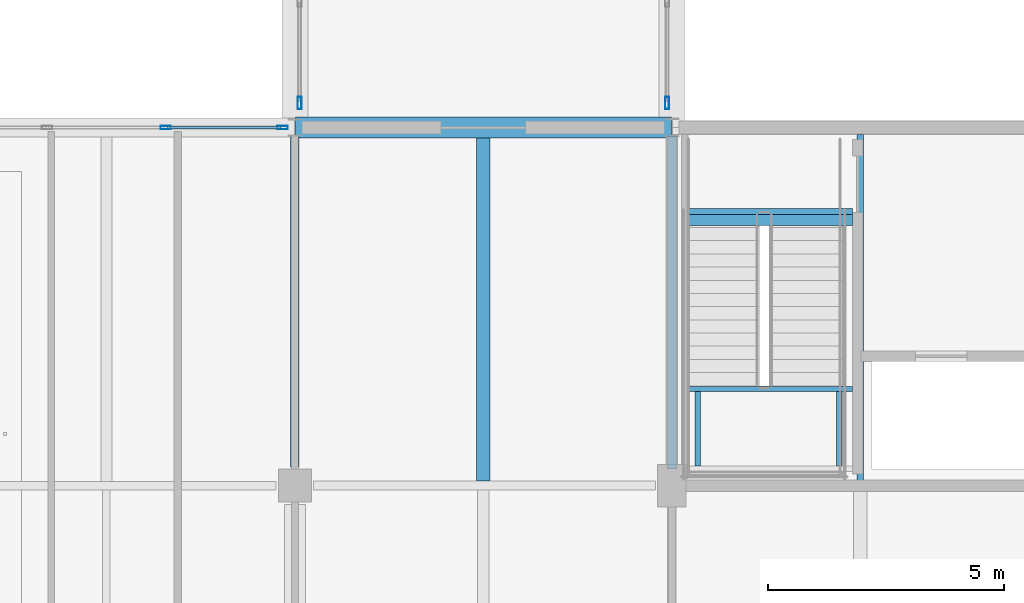
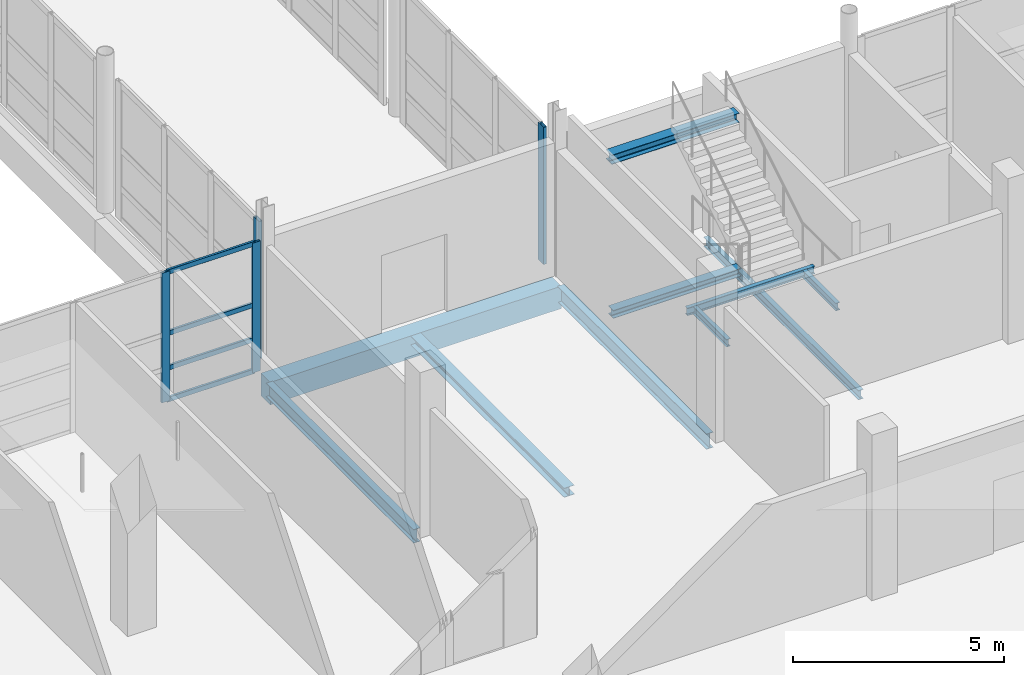
# One storey, part 56 of 141: 10 beams, 8 members, 3 elements without a shape of their own.
"""IFC4 building model written with IfcOpenShell, lengths in metres."""

from ifc_helpers import new_model, si_unit, direction, frame, origin, origin_2d, place, context, subcontext, project, spatial, rectangle, hollow_rectangle, i_section, extrude, material, material_profile, profile_set, type_object, element, aggregate, save


model = new_model("IFC4")

# Units and contexts
model_context = context("Model", 3, precision=1e-05, world=origin(), true_north=direction((0.0, 1.0)))
body_context = subcontext(model_context, "Body", "Model", "MODEL_VIEW")
ifc_project = project(units=[si_unit("LENGTHUNIT", "METRE"), si_unit("AREAUNIT", "SQUARE_METRE"), si_unit("VOLUMEUNIT", "CUBIC_METRE"), si_unit("PLANEANGLEUNIT", "RADIAN"), si_unit("MASSUNIT", "GRAM", prefix="KILO")], contexts=[model_context])

# Site, building, storey
site_placement = place(None, origin())
site = spatial("IfcSite", under=ifc_project, at=site_placement, CompositionType="ELEMENT")
building_placement = place(site_placement, origin())
building = spatial("IfcBuilding", under=site, at=building_placement, Name="Khelvaren Railside Concert Hall", CompositionType="ELEMENT")
storey_placement = place(building_placement, frame((0.0, 0.0, 10.199951171875)))
storey = spatial("IfcBuildingStorey", under=building, at=storey_placement, Name="L02", CompositionType="ELEMENT", Elevation=10.199951171875)

# Beams
ifc_material_1 = material(Name="Steel S355", Category="steel")
ifc_material_profile_1 = material_profile(ifc_material_1, i_section(OverallWidth=0.179931640625, OverallDepth=0.39990234375, WebThickness=0.008544921875, FlangeThickness=0.013427734375, FilletRadius=0.02099609375, at=origin_2d()), Name="IPE 400")
ifc_profile_set_1 = profile_set([ifc_material_profile_1], Name="Steel S355")
beam_type_1 = type_object("IfcBeamType", Name="BM29", PredefinedType="BEAM", material=ifc_profile_set_1)
beam_1_placement = place(storey_placement, frame((160.0, 30.800048828125, -0.489990234375), z_axis=(0.0, 1.0, 0.0), x_axis=(-1.0, 0.0, 0.0)))
element("IfcBeam", 1, at=beam_1_placement, inside=storey, type_object=beam_type_1, Name="V2 L02 Beam Y3.5", PredefinedType="BEAM", context=body_context, shape_type="SweptSolid", body=[
    extrude(i_section(OverallWidth=0.179931640625, OverallDepth=0.39990234375, WebThickness=0.008544921875, FlangeThickness=0.013427734375, FilletRadius=0.02099609375, at=origin_2d()), origin(), (0.0, 0.0, 1.0), 7.0),
])
ifc_material_profile_2 = material_profile(ifc_material_1, i_section(OverallWidth=0.239990234375, OverallDepth=0.22998046875, WebThickness=0.007568359375, FlangeThickness=0.011962890625, FilletRadius=0.02099609375, at=origin_2d()), Name="HEA 240")
ifc_profile_set_2 = profile_set([ifc_material_profile_2], Name="Steel S355")
beam_type_2 = type_object("IfcBeamType", Name="BM42", PredefinedType="BEAM", material=ifc_profile_set_2)
beam_2_placement = place(storey_placement, frame((168.344970703125, 36.039306640625, -0.114990234375), z_axis=(1.0, 0.0, 0.0), x_axis=(0.0, 1.0, 0.0)))
element("IfcBeam", 2, at=beam_2_placement, inside=storey, type_object=beam_type_2, Name="ST-04 L02 Stair Foot Trimmer Beam", PredefinedType="BEAM", context=body_context, shape_type="SweptSolid", body=[
    extrude(i_section(OverallWidth=0.239990234375, OverallDepth=0.22998046875, WebThickness=0.007568359375, FlangeThickness=0.011962890625, FilletRadius=0.02099609375, at=origin_2d()), origin(), (0.0, 0.0, 1.0), 3.4951171875),
])
ifc_material_profile_3 = material_profile(ifc_material_1, i_section(OverallWidth=0.110107421875, OverallDepth=0.219970703125, WebThickness=0.005859375, FlangeThickness=0.00927734375, FilletRadius=0.011962890625, at=origin_2d()), Name="IPE 220")
ifc_profile_set_3 = profile_set([ifc_material_profile_3], Name="Steel S355")
beam_type_3 = type_object("IfcBeamType", Name="BM87", PredefinedType="BEAM", material=ifc_profile_set_3)
beam_3_placement = place(storey_placement, frame((168.344970703125, 32.455078125, 2.090087890625), z_axis=(1.0, 0.0, 0.0), x_axis=(0.0, 1.0, 0.0)))
element("IfcBeam", 3, at=beam_3_placement, inside=storey, type_object=beam_type_3, Name="ST-04 L02 Half-Landing Front Beam", PredefinedType="BEAM", context=body_context, shape_type="SweptSolid", body=[
    extrude(i_section(OverallWidth=0.110107421875, OverallDepth=0.219970703125, WebThickness=0.005859375, FlangeThickness=0.00927734375, FilletRadius=0.011962890625, at=origin_2d()), origin(), (0.0, 0.0, 1.0), 3.4951171875),
])
for number, where, z_axis, x_axis, name in (
    (4, (168.550048828125, 30.81494140625, 2.090087890625), (0.0, 1.0, 0.0), (-1.0, 0.0, 0.0), "ST-04 L02 Half-Landing Side Tie W"),
    (5, (171.550048828125, 30.81494140625, 2.090087890625), (0.0, 1.0, 0.0), (-1.0, 0.0, 0.0), "ST-04 L02 Half-Landing Side Tie E"),
):
    element("IfcBeam", number, at=place(storey_placement, frame(where, z_axis=z_axis, x_axis=x_axis)), inside=storey, type_object=beam_type_3, Name=name, PredefinedType="BEAM", context=body_context, shape_type="SweptSolid", body=[
        extrude(i_section(OverallWidth=0.110107421875, OverallDepth=0.219970703125, WebThickness=0.005859375, FlangeThickness=0.00927734375, FilletRadius=0.011962890625, at=origin_2d()), origin(), (0.0, 0.0, 1.0), 1.5849609375),
    ])
ifc_material_profile_4 = material_profile(ifc_material_1, i_section(OverallWidth=0.280029296875, OverallDepth=0.27001953125, WebThickness=0.008056640625, FlangeThickness=0.012939453125, FilletRadius=0.02392578125, at=origin_2d()), Name="HEA 280")
ifc_profile_set_4 = profile_set([ifc_material_profile_4], Name="Steel S355")
beam_type_4 = type_object("IfcBeamType", Name="BM93", PredefinedType="BEAM", material=ifc_profile_set_4)
beam_4_placement = place(storey_placement, frame((168.344970703125, 36.139892578125, 4.317626953125), z_axis=(1.0, 0.0, 0.0), x_axis=(0.0, 1.0, 0.0)))
element("IfcBeam", 6, at=beam_4_placement, inside=storey, type_object=beam_type_4, Name="ST-04 L02 Stair Top Arrival Trimmer Beam", PredefinedType="BEAM", context=body_context, shape_type="SweptSolid", body=[
    extrude(i_section(OverallWidth=0.280029296875, OverallDepth=0.27001953125, WebThickness=0.008056640625, FlangeThickness=0.012939453125, FilletRadius=0.02392578125, at=origin_2d()), origin(), (0.0, 0.0, 1.0), 3.4951171875),
])
ifc_material_profile_5 = material_profile(ifc_material_1, i_section(OverallWidth=0.18994140625, OverallDepth=0.449951171875, WebThickness=0.009521484375, FlangeThickness=0.0146484375, FilletRadius=0.02099609375, at=origin_2d()), Name="IPE 450")
ifc_profile_set_5 = profile_set([ifc_material_profile_5], Name="Steel S355")
beam_type_5 = type_object("IfcBeamType", Name="BM95", PredefinedType="BEAM", material=ifc_profile_set_5)
beam_5_placement = place(storey_placement, frame((168.0, 30.75, -0.514892578125), z_axis=(0.0, 1.0, 0.0), x_axis=(-1.0, 0.0, 0.0)))
element("IfcBeam", 7, at=beam_5_placement, inside=storey, type_object=beam_type_5, Name="V2 L02 Beam Y4.5", PredefinedType="BEAM", context=body_context, shape_type="SweptSolid", body=[
    extrude(i_section(OverallWidth=0.18994140625, OverallDepth=0.449951171875, WebThickness=0.009521484375, FlangeThickness=0.0146484375, FilletRadius=0.02099609375, at=origin_2d()), origin(), (0.0, 0.0, 1.0), 7.070068359375),
])

# Curtain wall, members
ifc_material_2 = material(Name="Double-glazed clear foyer glass", Category="glass")
curtain_wall_type_1 = type_object("IfcCurtainWallType", Name="CW68", PredefinedType="USERDEFINED", material=ifc_material_2)
curtain_wall_1_placement = place(storey_placement, origin())
curtain_wall_1 = element("IfcCurtainWall", 8, at=curtain_wall_1_placement, inside=storey, type_object=curtain_wall_type_1, Name="Unitised Curtain Wall CW-V2-L02-N-152", ObjectType="UNITISED CURTAIN WALL", PredefinedType="USERDEFINED")
ifc_material_3 = material(Name="Anodised architectural aluminium 6063-T6", Category="aluminium")
ifc_material_profile_6 = material_profile(ifc_material_3, hollow_rectangle(XDim=0.074951171875, YDim=0.219970703125, WallThickness=0.0048828125, InnerFilletRadius=0.0029296875, OuterFilletRadius=0.0048828125, at=origin_2d()), Name="CWM 75x220x5")
ifc_profile_set_6 = profile_set([ifc_material_profile_6], Name="Anodised architectural aluminium 6063-T6")
member_type_1 = type_object("IfcMemberType", Name="CWM13", PredefinedType="MULLION", material=ifc_profile_set_6)
member_1_placement = place(storey_placement, frame((157.25927734375, 38.0, 0.0), z_axis=(0.0, 0.0, 1.0), x_axis=(0.0, 1.0, 0.0)))
member_1 = element("IfcMember", 9, at=member_1_placement, type_object=member_type_1, Name="CW68 mullion 3", PredefinedType="MULLION", context=body_context, shape_type="SweptSolid", body=[
    extrude(hollow_rectangle(XDim=0.074951171875, YDim=0.219970703125, WallThickness=0.0048828125, InnerFilletRadius=0.0029296875, OuterFilletRadius=0.0048828125, at=origin_2d()), origin(), (0.0, 0.0, 1.0), 3.760009765625),
])
member_2_placement = place(storey_placement, frame((159.739990234375, 38.0, 0.0), z_axis=(0.0, 0.0, 1.0), x_axis=(0.0, 1.0, 0.0)))
member_2 = element("IfcMember", 10, at=member_2_placement, type_object=member_type_1, Name="CW68 mullion 4", PredefinedType="MULLION", context=body_context, shape_type="SweptSolid", body=[
    extrude(hollow_rectangle(XDim=0.074951171875, YDim=0.219970703125, WallThickness=0.0048828125, InnerFilletRadius=0.0029296875, OuterFilletRadius=0.0048828125, at=origin_2d()), origin(), (0.0, 0.0, 1.0), 3.760009765625),
])

# Curtain wall, member
ifc_material_4 = material(Name="Acoustic laminated crystal facade glass", Category="glass")
curtain_wall_type_2 = type_object("IfcCurtainWallType", Name="CW78", PredefinedType="USERDEFINED", material=ifc_material_4)
curtain_wall_2_placement = place(storey_placement, origin())
curtain_wall_2 = element("IfcCurtainWall", 11, at=curtain_wall_2_placement, inside=storey, type_object=curtain_wall_type_2, Name="Unitised Curtain Wall CW-LB4-L02-W1", ObjectType="UNITISED CURTAIN WALL", PredefinedType="USERDEFINED")
ifc_material_profile_7 = material_profile(ifc_material_3, hollow_rectangle(XDim=0.0849609375, YDim=0.260009765625, WallThickness=0.0048828125, InnerFilletRadius=0.0029296875, OuterFilletRadius=0.0048828125, at=origin_2d()), Name="CWM 85x260x5")
ifc_profile_set_7 = profile_set([ifc_material_profile_7], Name="Anodised architectural aluminium 6063-T6")
member_type_2 = type_object("IfcMemberType", Name="CWM40", PredefinedType="MULLION", material=ifc_profile_set_7)
member_3_placement = place(storey_placement, frame((160.10009765625, 38.5224609375, 0.0), z_axis=(0.0, 0.0, 1.0), x_axis=(-1.0, 0.0, 0.0)))
member_3 = element("IfcMember", 12, at=member_3_placement, type_object=member_type_2, Name="CW78 mullion 1", PredefinedType="MULLION", context=body_context, shape_type="SweptSolid", body=[
    extrude(hollow_rectangle(XDim=0.0849609375, YDim=0.260009765625, WallThickness=0.0048828125, InnerFilletRadius=0.0029296875, OuterFilletRadius=0.0048828125, at=origin_2d()), origin(), (0.0, 0.0, 1.0), 3.97998046875),
])
aggregate(curtain_wall_2, [member_3])

curtain_wall_3_placement = place(storey_placement, origin())
curtain_wall_3 = element("IfcCurtainWall", 13, at=curtain_wall_3_placement, inside=storey, type_object=curtain_wall_type_2, Name="Unitised Curtain Wall CW-LB4-L02-E1", ObjectType="UNITISED CURTAIN WALL", PredefinedType="USERDEFINED")
member_4_placement = place(storey_placement, frame((167.89990234375, 38.5224609375, 0.0), z_axis=(0.0, 0.0, 1.0), x_axis=(1.0, 0.0, 0.0)))
member_4 = element("IfcMember", 14, at=member_4_placement, type_object=member_type_2, Name="CW78 mullion 4", PredefinedType="MULLION", context=body_context, shape_type="SweptSolid", body=[
    extrude(hollow_rectangle(XDim=0.0849609375, YDim=0.260009765625, WallThickness=0.0048828125, InnerFilletRadius=0.0029296875, OuterFilletRadius=0.0048828125, at=origin_2d()), origin(), (0.0, 0.0, 1.0), 3.97998046875),
])
aggregate(curtain_wall_3, [member_4])

# Member
ifc_material_profile_8 = material_profile(ifc_material_3, hollow_rectangle(XDim=0.06494140625, YDim=0.139892578125, WallThickness=0.00390625, InnerFilletRadius=0.001953125, OuterFilletRadius=0.00390625, at=origin_2d()), Name="CWT 65x140x4")
ifc_profile_set_8 = profile_set([ifc_material_profile_8], Name="Anodised architectural aluminium 6063-T6")
member_type_3 = type_object("IfcMemberType", Name="CWT72", PredefinedType="USERDEFINED", material=ifc_profile_set_8)
member_5_placement = place(storey_placement, frame((157.296630859375, 38.0, 0.032470703125), z_axis=(1.0, 0.0, 0.0), x_axis=(0.0, 1.0, 0.0)))
member_5 = element("IfcMember", 15, at=member_5_placement, type_object=member_type_3, Name="CW68 transom 3.1", ObjectType="TRANSOM", PredefinedType="USERDEFINED", context=body_context, shape_type="SweptSolid", body=[
    extrude(hollow_rectangle(XDim=0.06494140625, YDim=0.139892578125, WallThickness=0.00390625, InnerFilletRadius=0.001953125, OuterFilletRadius=0.00390625, at=origin_2d()), origin(), (0.0, 0.0, 1.0), 2.40576171875),
])

member_6_placement = place(storey_placement, frame((157.296630859375, 38.0, 0.949951171875), z_axis=(1.0, 0.0, 0.0), x_axis=(0.0, 1.0, 0.0)))
member_6 = element("IfcMember", 16, at=member_6_placement, type_object=member_type_3, Name="CW68 transom 3.2", ObjectType="TRANSOM", PredefinedType="USERDEFINED", context=body_context, shape_type="SweptSolid", body=[
    extrude(hollow_rectangle(XDim=0.06494140625, YDim=0.139892578125, WallThickness=0.00390625, InnerFilletRadius=0.001953125, OuterFilletRadius=0.00390625, at=origin_2d()), origin(), (0.0, 0.0, 1.0), 2.40576171875),
])

member_7_placement = place(storey_placement, frame((157.296630859375, 38.0, 1.955322265625), z_axis=(1.0, 0.0, 0.0), x_axis=(0.0, 1.0, 0.0)))
member_7 = element("IfcMember", 17, at=member_7_placement, type_object=member_type_3, Name="CW68 transom 3.3", ObjectType="TRANSOM", PredefinedType="USERDEFINED", context=body_context, shape_type="SweptSolid", body=[
    extrude(hollow_rectangle(XDim=0.06494140625, YDim=0.139892578125, WallThickness=0.00390625, InnerFilletRadius=0.001953125, OuterFilletRadius=0.00390625, at=origin_2d()), origin(), (0.0, 0.0, 1.0), 2.40576171875),
])

member_8_placement = place(storey_placement, frame((157.296630859375, 38.0, 3.7275390625), z_axis=(1.0, 0.0, 0.0), x_axis=(0.0, 1.0, 0.0)))
member_8 = element("IfcMember", 18, at=member_8_placement, type_object=member_type_3, Name="CW68 transom 3.4", ObjectType="TRANSOM", PredefinedType="USERDEFINED", context=body_context, shape_type="SweptSolid", body=[
    extrude(hollow_rectangle(XDim=0.06494140625, YDim=0.139892578125, WallThickness=0.00390625, InnerFilletRadius=0.001953125, OuterFilletRadius=0.00390625, at=origin_2d()), origin(), (0.0, 0.0, 1.0), 2.40576171875),
])

aggregate(curtain_wall_1, [member_1, member_2, member_5, member_6, member_7, member_8])

# Beams
ifc_material_profile_9 = material_profile(ifc_material_1, i_section(OverallWidth=0.280029296875, OverallDepth=0.27001953125, WebThickness=0.008056640625, FlangeThickness=0.012939453125, FilletRadius=0.02392578125, at=origin_2d()), Name="HEA 280")
ifc_profile_set_9 = profile_set([ifc_material_profile_9], Name="Steel S355")
beam_type_6 = type_object("IfcBeamType", Name="JS46", PredefinedType="JOIST", material=ifc_profile_set_9)
beam_6_placement = place(storey_placement, frame((164.0, 30.4951171875, -0.425048828125), z_axis=(0.0, 1.0, 0.0), x_axis=(-1.0, 0.0, 0.0)))
element("IfcBeam", 19, at=beam_6_placement, inside=storey, type_object=beam_type_6, Name="V2 L02 Secondary Joist 3.5", PredefinedType="JOIST", context=body_context, shape_type="SweptSolid", body=[
    extrude(i_section(OverallWidth=0.280029296875, OverallDepth=0.27001953125, WebThickness=0.008056640625, FlangeThickness=0.012939453125, FilletRadius=0.02392578125, at=origin_2d()), origin(), (0.0, 0.0, 1.0), 7.27978515625),
])
ifc_material_profile_10 = material_profile(ifc_material_1, i_section(OverallWidth=0.135009765625, OverallDepth=0.27001953125, WebThickness=0.006591796875, FlangeThickness=0.01025390625, FilletRadius=0.014892578125, at=origin_2d()), Name="IPE 270")
ifc_profile_set_10 = profile_set([ifc_material_profile_10], Name="Steel S355")
beam_type_7 = type_object("IfcBeamType", Name="JS78", PredefinedType="JOIST", material=ifc_profile_set_10)
beam_7_placement = place(storey_placement, frame((172.0, 30.5, -0.425048828125), z_axis=(0.0, 1.0, 0.0), x_axis=(-1.0, 0.0, 0.0)))
element("IfcBeam", 20, at=beam_7_placement, inside=storey, type_object=beam_type_7, Name="V2 L02 Secondary Joist 4.5", PredefinedType="JOIST", context=body_context, shape_type="SweptSolid", body=[
    extrude(i_section(OverallWidth=0.135009765625, OverallDepth=0.27001953125, WebThickness=0.006591796875, FlangeThickness=0.01025390625, FilletRadius=0.014892578125, at=origin_2d()), origin(), (0.0, 0.0, 1.0), 7.35009765625),
])
ifc_material_5 = material(Name="Concrete C40/50", Category="concrete")
ifc_material_profile_11 = material_profile(ifc_material_5, rectangle(XDim=0.449951171875, YDim=0.64990234375, at=origin_2d()), Name="RCB 450x650")
ifc_profile_set_11 = profile_set([ifc_material_profile_11], Name="Concrete C40/50")
beam_type_8 = type_object("IfcBeamType", Name="SP34", PredefinedType="SPANDREL", material=ifc_profile_set_11)
beam_8_placement = place(storey_placement, frame((160.010009765625, 38.0, -0.614990234375), z_axis=(1.0, 0.0, 0.0), x_axis=(0.0, 1.0, 0.0)))
element("IfcBeam", 21, at=beam_8_placement, inside=storey, type_object=beam_type_8, Name="V2 L02 Spandrel X6.3", PredefinedType="SPANDREL", context=body_context, shape_type="SweptSolid", body=[
    extrude(rectangle(XDim=0.449951171875, YDim=0.64990234375, at=origin_2d()), origin(), (0.0, 0.0, 1.0), 7.97998046875),
])

save(model, "model.ifc")
